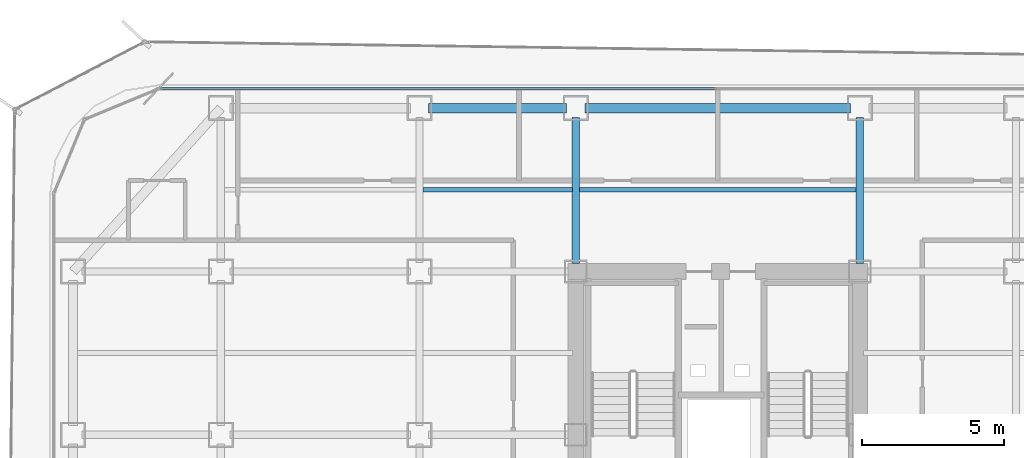
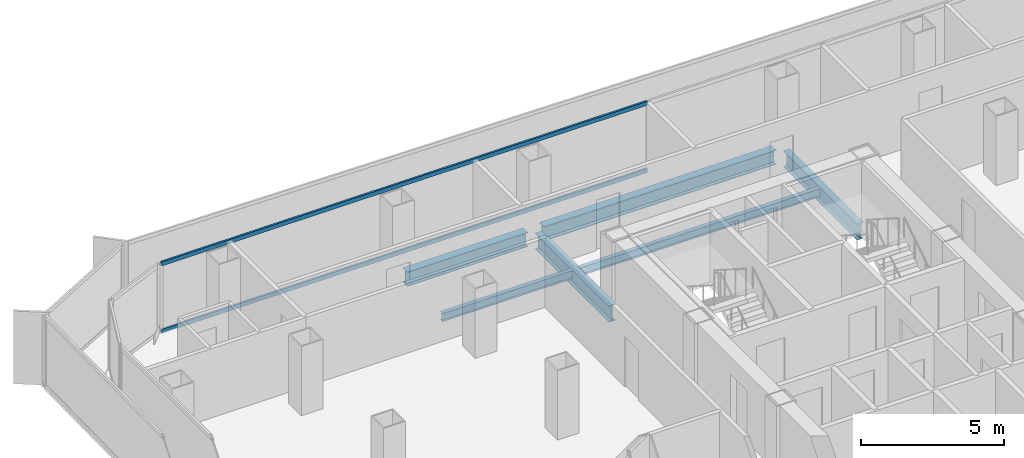
# One storey, part 11 of 21: 6 beams, 2 members, 1 element without a shape of its own.
"""IFC4 building model written with IfcOpenShell, lengths in metres."""

import ifcopenshell
import ifcopenshell.guid

model = None  # the IFC model being written
_history = None  # IfcOwnerHistory: only IFC2X3 demands one
_inside = {}  # id of a spatial element -> (the spatial element, [elements in it])
_under = {}  # id of a project, library or spatial element -> (it, [spatial elements below it])
_declared = {}  # id of a project -> (the project, [libraries it declares])
_typed = {}  # id of a type object -> (the type object, [elements of that type])
_made_of = {}  # id of a material, layer set ... -> (it, [elements and type objects made of it])


def new_model(schema):
    """Start an empty IFC model of exactly this schema.

    Asked for "IFC4X3", IfcOpenShell would pick the latest addendum, in which some entities
    have other attributes; the version numbers below select the first issue.
    IFC2X3 requires an IfcOwnerHistory on every rooted entity: one is made here for all.
    """
    global model, _history
    if schema == "IFC4X3":
        model = ifcopenshell.file(schema_version=(4, 3, 0, 0))
    else:
        model = ifcopenshell.file(schema=schema)
    _inside.clear()
    _under.clear()
    _declared.clear()
    _typed.clear()
    _made_of.clear()
    _history = None
    if model.schema == "IFC2X3":
        org = make("IfcOrganization", Name="unknown")
        user = make(
            "IfcPersonAndOrganization",
            ThePerson=make("IfcPerson", FamilyName="unknown"),
            TheOrganization=org,
        )
        app = make(
            "IfcApplication",
            ApplicationDeveloper=org,
            Version="unknown",
            ApplicationFullName="unknown",
            ApplicationIdentifier="unknown",
        )
        _history = make(
            "IfcOwnerHistory",
            OwningUser=user,
            OwningApplication=app,
            ChangeAction="ADDED",
            CreationDate=0,
        )
    return model


def make(cls, **values):
    """One entity of the class cls with the attributes given. An attribute that is None is left unset."""
    return model.create_entity(
        cls, **{name: value for name, value in values.items() if value is not None}
    )


def rooted(cls, **values):
    """An entity with a GlobalId (a new one), such as an element, a storey or a relation."""
    return make(cls, GlobalId=ifcopenshell.guid.new(), OwnerHistory=_history, **values)


def si_unit(unit_type, name, prefix=None):
    """IfcSIUnit, for example si_unit("LENGTHUNIT", "METRE", prefix="MILLI")."""
    return make("IfcSIUnit", UnitType=unit_type, Prefix=prefix, Name=name)


def assignment(units):
    """IfcUnitAssignment: the units of a project."""
    return None if units is None else make("IfcUnitAssignment", Units=units)


def point(xyz):
    """IfcCartesianPoint."""
    return None if xyz is None else make("IfcCartesianPoint", Coordinates=xyz)


def direction(xyz):
    """IfcDirection."""
    return None if xyz is None else make("IfcDirection", DirectionRatios=xyz)


def frame(location, z_axis=None, x_axis=None):
    """IfcAxis2Placement3D, a coordinate frame: its origin and axes. An axis left out is left unset."""
    return make(
        "IfcAxis2Placement3D",
        Location=point(location),
        Axis=direction(z_axis),
        RefDirection=direction(x_axis),
    )


def frame_2d(location, x_axis=None):
    """IfcAxis2Placement2D, a coordinate frame in the plane: its origin and x axis."""
    return make(
        "IfcAxis2Placement2D", Location=point(location), RefDirection=direction(x_axis)
    )


def origin():
    """The frame at (0, 0, 0) with its axes left unset."""
    return frame((0.0, 0.0, 0.0))


def origin_2d():
    """The frame at (0, 0) in the plane with its x axis left unset."""
    return frame_2d((0.0, 0.0))


def place(relative_to, where):
    """IfcLocalPlacement: puts the frame where relative to a parent placement (None: the world)."""
    return make(
        "IfcLocalPlacement", PlacementRelTo=relative_to, RelativePlacement=where
    )


def context(
    kind, dimensions, precision=None, world=None, true_north=None, identifier=None
):
    """IfcGeometricRepresentationContext, for example the 3D "Model" context."""
    return make(
        "IfcGeometricRepresentationContext",
        ContextIdentifier=identifier,
        ContextType=kind,
        CoordinateSpaceDimension=dimensions,
        Precision=precision,
        WorldCoordinateSystem=world,
        TrueNorth=true_north,
    )


def subcontext(parent, identifier, kind, view, scale=None):
    """IfcGeometricRepresentationSubContext, for example "Body" below "Model"."""
    return make(
        "IfcGeometricRepresentationSubContext",
        ContextIdentifier=identifier,
        ContextType=kind,
        ParentContext=parent,
        TargetScale=scale,
        TargetView=view,
    )


def project(units=None, contexts=None):
    """IfcProject with its units and contexts."""
    return rooted(
        "IfcProject",
        Name="project",
        RepresentationContexts=contexts,
        UnitsInContext=assignment(units),
    )


def spatial(cls, under=None, at=None, **own):
    """A site, building, storey or space (cls), placed at a placement, below another one or the project."""
    s = rooted(cls, ObjectPlacement=at, **own)
    if under is not None:
        _under.setdefault(under.id(), (under, []))[1].append(s)
    return s


def profile(cls, at=None, kind="AREA", **sizes):
    """A parametric profile (cls). Its sizes go by their IFC names, for example OverallWidth=200.0."""
    return make(cls, ProfileType=kind, Position=at, **sizes)


def hollow_rectangle(**sizes):
    """IfcRectangleHollowProfileDef."""
    return profile("IfcRectangleHollowProfileDef", **sizes)


def i_section(**sizes):
    """IfcIShapeProfileDef."""
    return profile("IfcIShapeProfileDef", **sizes)


def extrude(swept, where, along, depth):
    """IfcExtrudedAreaSolid: the profile swept, set in the frame where, extruded along a direction by depth."""
    return make(
        "IfcExtrudedAreaSolid",
        SweptArea=swept,
        Position=where,
        ExtrudedDirection=direction(along),
        Depth=depth,
    )


def shape(context_of_items, identifier, shape_type, items):
    """IfcShapeRepresentation: the items that make up one representation, for example the "Body"."""
    return make(
        "IfcShapeRepresentation",
        ContextOfItems=context_of_items,
        RepresentationIdentifier=identifier,
        RepresentationType=shape_type,
        Items=items,
    )


def source(mapping_origin, context_of_items, identifier, shape_type, items):
    """IfcRepresentationMap: a shape defined once, which mapped items show again and again."""
    return make(
        "IfcRepresentationMap",
        MappingOrigin=mapping_origin,
        MappedRepresentation=shape(context_of_items, identifier, shape_type, items),
    )


def transform(
    local_origin,
    x_axis=None,
    y_axis=None,
    z_axis=None,
    scale=None,
    scale2=None,
    scale3=None,
    uniform=True,
):
    """IfcCartesianTransformationOperator3D, or its non-uniform kind. x_axis, y_axis, z_axis: its Axis1, 2, 3."""
    if uniform:
        return make(
            "IfcCartesianTransformationOperator3D",
            Axis1=direction(x_axis),
            Axis2=direction(y_axis),
            LocalOrigin=point(local_origin),
            Scale=scale,
            Axis3=direction(z_axis),
        )
    return make(
        "IfcCartesianTransformationOperator3DnonUniform",
        Axis1=direction(x_axis),
        Axis2=direction(y_axis),
        LocalOrigin=point(local_origin),
        Scale=scale,
        Axis3=direction(z_axis),
        Scale2=scale2,
        Scale3=scale3,
    )


def mapped(mapping_source, mapping_target):
    """IfcMappedItem: shows the shape of a source again, moved by a transform."""
    return make(
        "IfcMappedItem", MappingSource=mapping_source, MappingTarget=mapping_target
    )


def material(Name=None, Category=None):
    """IfcMaterial."""
    return make("IfcMaterial", Name=Name, Category=Category)


def layer(
    of_material, thickness, ventilated=None, Name=None, Category=None, Priority=None
):
    """IfcMaterialLayer: one layer of a wall or slab, of a material (None: an air gap)."""
    return make(
        "IfcMaterialLayer",
        Material=of_material,
        LayerThickness=thickness,
        IsVentilated=ventilated,
        Name=Name,
        Category=Category,
        Priority=Priority,
    )


def layer_set(layers, Name=None):
    """IfcMaterialLayerSet."""
    return make("IfcMaterialLayerSet", MaterialLayers=layers, LayerSetName=Name)


def material_profile(
    of_material, cross_section, Name=None, Category=None, Priority=None
):
    """IfcMaterialProfile: a cross section and its material."""
    return make(
        "IfcMaterialProfile",
        Name=Name,
        Material=of_material,
        Profile=cross_section,
        Priority=Priority,
        Category=Category,
    )


def profile_set(profiles, Name=None, composite=None):
    """IfcMaterialProfileSet."""
    return make(
        "IfcMaterialProfileSet",
        Name=Name,
        MaterialProfiles=profiles,
        CompositeProfile=composite,
    )


def made_of(thing, what):
    """Note that an element or type object is made of a material, layer set ...; save() writes the relation."""
    if what is not None:
        _made_of.setdefault(what.id(), (what, []))[1].append(thing)
    return thing


def type_object(cls, material=None, **own):
    """A type object (cls), such as IfcWallType, which elements share."""
    return made_of(rooted(cls, **own), material)


def element(
    cls,
    number,
    at=None,
    inside=None,
    cuts=None,
    type_object=None,
    material=None,
    context=None,
    identifier="Body",
    shape_type=None,
    held_by="IfcProductDefinitionShape",
    body=None,
    shapes=None,
    **own,
):
    """One element of the class cls, such as IfcWall. Its Tag is "e" and its number.

    at: its placement. inside: the storey or other place that contains it. cuts: it is an
    opening in that element (IfcRelVoidsElement). A single representation is given by context,
    identifier, shape_type and body (its items); several are given by shapes. held_by: the class
    of the entity that holds the representations. save() writes the other relations.
    """
    e = rooted(cls, Tag="e%d" % number, ObjectPlacement=at, **own)
    if body is not None:
        shapes = [shape(context, identifier, shape_type, body)]
    if shapes is not None:
        e.Representation = make(held_by, Representations=shapes)
    if inside is not None:
        _inside.setdefault(inside.id(), (inside, []))[1].append(e)
    if cuts is not None:
        rooted(
            "IfcRelVoidsElement", RelatingBuildingElement=cuts, RelatedOpeningElement=e
        )
    if type_object is not None:
        _typed.setdefault(type_object.id(), (type_object, []))[1].append(e)
    return made_of(e, material)


def aggregate(whole, parts):
    """IfcRelAggregates: a whole, such as a stair, and the parts it consists of."""
    return rooted("IfcRelAggregates", RelatingObject=whole, RelatedObjects=parts)


def save(model, path):
    """Write the relations noted so far, then the file.

    IfcRelAggregates (storeys below a building ...), IfcRelContainedInSpatialStructure (elements
    in a storey), IfcRelDefinesByType, IfcRelAssociatesMaterial and IfcRelDeclares: one each for
    every whole, place, type object, material and project.
    """
    for whole, parts in _under.values():
        aggregate(whole, parts)
    for where, things in _inside.values():
        rooted(
            "IfcRelContainedInSpatialStructure",
            RelatedElements=things,
            RelatingStructure=where,
        )
    for kind, things in _typed.values():
        rooted("IfcRelDefinesByType", RelatedObjects=things, RelatingType=kind)
    for what, things in _made_of.values():
        rooted("IfcRelAssociatesMaterial", RelatedObjects=things, RelatingMaterial=what)
    for by, libraries in _declared.values():
        rooted("IfcRelDeclares", RelatingContext=by, RelatedDefinitions=libraries)
    model.write(path)


model = new_model("IFC4")

# Units and contexts
model_context = context("Model", 3, precision=1e-05, world=origin(), true_north=direction((0.0, 1.0)))
body_context = subcontext(model_context, "Body", "Model", "MODEL_VIEW")
ifc_project = project(units=[si_unit("LENGTHUNIT", "METRE"), si_unit("AREAUNIT", "SQUARE_METRE"), si_unit("VOLUMEUNIT", "CUBIC_METRE"), si_unit("PLANEANGLEUNIT", "RADIAN"), si_unit("MASSUNIT", "GRAM", prefix="KILO")], contexts=[model_context])

# Site, building, storey
site_placement = place(None, origin())
site = spatial("IfcSite", under=ifc_project, at=site_placement, CompositionType="ELEMENT")
building_placement = place(site_placement, origin())
building = spatial("IfcBuilding", under=site, at=building_placement, Name="Kolveth Station Tower", CompositionType="ELEMENT")
storey_placement = place(building_placement, frame((0.0, 0.0, 131.10009765625)))
storey = spatial("IfcBuildingStorey", under=building, at=storey_placement, Name="L36", CompositionType="ELEMENT", Elevation=131.10009765625)

# Beams
ifc_material_1 = material(Name="Steel S355", Category="steel")
ifc_material_profile_1 = material_profile(ifc_material_1, i_section(OverallWidth=0.323974609375, OverallDepth=0.611083984375, WebThickness=0.0126953125, FlangeThickness=0.01904296875, at=origin_2d()), Name="W610x155")
ifc_profile_set_1 = profile_set([ifc_material_profile_1], Name="Steel S355")
beam_type_1 = type_object("IfcBeamType", Name="Beam_SP2", PredefinedType="SPANDREL", material=ifc_profile_set_1)
shared_shape_1 = source(origin(), body_context, "Body", "SweptSolid", [
    extrude(i_section(OverallWidth=0.323974609375, OverallDepth=0.611083984375, WebThickness=0.0126953125, FlangeThickness=0.01904296875, at=origin_2d()), origin(), (0.0, 0.0, 1.0), 4.85986328125),
])
beam_1_placement = place(storey_placement, frame((13.320068359375, 34.5, -0.5556640625), z_axis=(1.0, 0.0, 0.0), x_axis=(0.0, 1.0, 0.0)))
element("IfcBeam", 1, at=beam_1_placement, inside=storey, type_object=beam_type_1, Name="L36 Perimeter Spandrel BM-L36-PN-2", PredefinedType="SPANDREL", context=body_context, shape_type="MappedRepresentation", body=[
    mapped(shared_shape_1, transform((0.0, 0.0, 0.0), x_axis=(1.0, 0.0, 0.0), y_axis=(0.0, 1.0, 0.0), z_axis=(0.0, 0.0, 1.0), scale=1.0)),
])
shared_shape_2 = source(origin(), body_context, "Body", "SweptSolid", [
    extrude(i_section(OverallWidth=0.323974609375, OverallDepth=0.611083984375, WebThickness=0.0126953125, FlangeThickness=0.01904296875, at=origin_2d()), origin(), (0.0, 0.0, 1.0), 9.35986328125),
])
beam_2_placement = place(storey_placement, frame((18.820068359375, 34.5, -0.5556640625), z_axis=(1.0, 0.0, 0.0), x_axis=(0.0, 1.0, 0.0)))
element("IfcBeam", 2, at=beam_2_placement, inside=storey, type_object=beam_type_1, Name="L36 Perimeter Spandrel BM-L36-PN-3", PredefinedType="SPANDREL", context=body_context, shape_type="MappedRepresentation", body=[
    mapped(shared_shape_2, transform((0.0, 0.0, 0.0), x_axis=(1.0, 0.0, 0.0), y_axis=(0.0, 1.0, 0.0), z_axis=(0.0, 0.0, 1.0), scale=1.0)),
])
ifc_material_profile_2 = material_profile(ifc_material_1, i_section(OverallWidth=0.25390625, OverallDepth=0.68798828125, WebThickness=0.01318359375, FlangeThickness=0.02099609375, at=origin_2d()), Name="W690x152")
ifc_profile_set_2 = profile_set([ifc_material_profile_2], Name="Steel S355")
beam_type_2 = type_object("IfcBeamType", Name="Beam_B4", PredefinedType="BEAM", material=ifc_profile_set_2)
shared_shape_3 = source(origin(), body_context, "Body", "SweptSolid", [
    extrude(i_section(OverallWidth=0.25390625, OverallDepth=0.68798828125, WebThickness=0.01318359375, FlangeThickness=0.02099609375, at=origin_2d()), origin(), (0.0, 0.0, 1.0), 5.14990234375),
])
for number, where, z_axis, x_axis, name in (
    (3, (18.5, 29.030029296875, -0.593994140625), (0.0, 1.0, 0.0), (-1.0, 0.0, 0.0), "L36 Primary Girder BM-L36-GX185-6"),
    (4, (28.5, 29.030029296875, -0.593994140625), (0.0, 1.0, 0.0), (-1.0, 0.0, 0.0), "L36 Primary Girder BM-L36-GX285-6"),
):
    element("IfcBeam", number, at=place(storey_placement, frame(where, z_axis=z_axis, x_axis=x_axis)), inside=storey, type_object=beam_type_2, Name=name, PredefinedType="BEAM", context=body_context, shape_type="MappedRepresentation", body=[
        mapped(shared_shape_3, transform((0.0, 0.0, 0.0), x_axis=(1.0, 0.0, 0.0), y_axis=(0.0, 1.0, 0.0), z_axis=(0.0, 0.0, 1.0), scale=1.0)),
    ])
ifc_material_profile_3 = material_profile(ifc_material_1, i_section(OverallWidth=0.1708984375, OverallDepth=0.35205078125, WebThickness=0.0068359375, FlangeThickness=0.009765625, at=origin_2d()), Name="W360x44")
ifc_profile_set_3 = profile_set([ifc_material_profile_3], Name="Steel S355")
beam_type_3 = type_object("IfcBeamType", Name="Beam_J2", PredefinedType="JOIST", material=ifc_profile_set_3)
shared_shape_4 = source(origin(), body_context, "Body", "SweptSolid", [
    extrude(i_section(OverallWidth=0.1708984375, OverallDepth=0.35205078125, WebThickness=0.0068359375, FlangeThickness=0.009765625, at=origin_2d()), origin(), (0.0, 0.0, 1.0), 5.25),
])
beam_3_placement = place(storey_placement, frame((13.125, 31.625, -0.426025390625), z_axis=(1.0, 0.0, 0.0), x_axis=(0.0, 1.0, 0.0)))
element("IfcBeam", 5, at=beam_3_placement, inside=storey, type_object=beam_type_3, Name="L36 Secondary Joist JST-L36-3-6", PredefinedType="JOIST", context=body_context, shape_type="MappedRepresentation", body=[
    mapped(shared_shape_4, transform((0.0, 0.0, 0.0), x_axis=(1.0, 0.0, 0.0), y_axis=(0.0, 1.0, 0.0), z_axis=(0.0, 0.0, 1.0), scale=1.0)),
])
shared_shape_5 = source(origin(), body_context, "Body", "SweptSolid", [
    extrude(i_section(OverallWidth=0.1708984375, OverallDepth=0.35205078125, WebThickness=0.0068359375, FlangeThickness=0.009765625, at=origin_2d()), origin(), (0.0, 0.0, 1.0), 9.75),
])
beam_4_placement = place(storey_placement, frame((18.625, 31.625, -0.426025390625), z_axis=(1.0, 0.0, 0.0), x_axis=(0.0, 1.0, 0.0)))
element("IfcBeam", 6, at=beam_4_placement, inside=storey, type_object=beam_type_3, Name="L36 Secondary Joist JST-L36-4-6", PredefinedType="JOIST", context=body_context, shape_type="MappedRepresentation", body=[
    mapped(shared_shape_5, transform((0.0, 0.0, 0.0), x_axis=(1.0, 0.0, 0.0), y_axis=(0.0, 1.0, 0.0), z_axis=(0.0, 0.0, 1.0), scale=1.0)),
])

# Curtain wall, members
ifc_material_2 = material(Name="Aluminium 6063-T6 and low-E dark glass", Category="aluminium")
ifc_layer = layer(ifc_material_2, 0.18994140625)
ifc_layer_set = layer_set([ifc_layer], Name="Aluminium 6063-T6 and low-E dark glass")
curtain_wall_type = type_object("IfcCurtainWallType", Name="CurtainWall_CW-Z2", PredefinedType="NOTDEFINED", material=ifc_layer_set)
curtain_wall_placement = place(storey_placement, origin())
curtain_wall = element("IfcCurtainWall", 7, at=curtain_wall_placement, inside=storey, type_object=curtain_wall_type, Name="L36 Inner Thermal Curtain Wall 6", PredefinedType="NOTDEFINED")
ifc_material_3 = material(Name="Black anodized aluminium 6063-T6", Category="aluminium")
ifc_material_profile_4 = material_profile(ifc_material_3, hollow_rectangle(XDim=0.080078125, YDim=0.169921875, WallThickness=0.0048828125, at=origin_2d()), Name="ALU-80x170x5")
ifc_profile_set_4 = profile_set([ifc_material_profile_4], Name="Black anodized aluminium 6063-T6")
member_type = type_object("IfcMemberType", Name="Transom_TR2", PredefinedType="USERDEFINED", material=ifc_profile_set_4)
shared_shape_6 = source(origin(), body_context, "Body", "SweptSolid", [
    extrude(hollow_rectangle(XDim=0.080078125, YDim=0.169921875, WallThickness=0.0048828125, at=origin_2d()), origin(), (0.0, 0.0, 1.0), 19.580078125),
])
member_1_placement = place(storey_placement, frame((23.4599609375, 35.179931640625, 0.039794921875), z_axis=(-1.0, 0.0, 0.0), x_axis=(0.0, -1.0, 0.0)))
member_1 = element("IfcMember", 8, at=member_1_placement, type_object=member_type, Name="CW-Z2 transom 2.1", ObjectType="TRANSOM", PredefinedType="USERDEFINED", context=body_context, shape_type="MappedRepresentation", body=[
    mapped(shared_shape_6, transform((0.0, 0.0, 0.0), x_axis=(1.0, 0.0, 0.0), y_axis=(0.0, 1.0, 0.0), z_axis=(0.0, 0.0, 1.0), scale=1.0)),
])
member_2_placement = place(storey_placement, frame((23.4599609375, 35.179931640625, 2.909912109375), z_axis=(-1.0, 0.0, 0.0), x_axis=(0.0, -1.0, 0.0)))
member_2 = element("IfcMember", 9, at=member_2_placement, type_object=member_type, Name="CW-Z2 transom 2.2", ObjectType="TRANSOM", PredefinedType="USERDEFINED", context=body_context, shape_type="MappedRepresentation", body=[
    mapped(shared_shape_6, transform((0.0, 0.0, 0.0), x_axis=(1.0, 0.0, 0.0), y_axis=(0.0, 1.0, 0.0), z_axis=(0.0, 0.0, 1.0), scale=1.0)),
])
aggregate(curtain_wall, [member_1, member_2])

save(model, "model.ifc")
